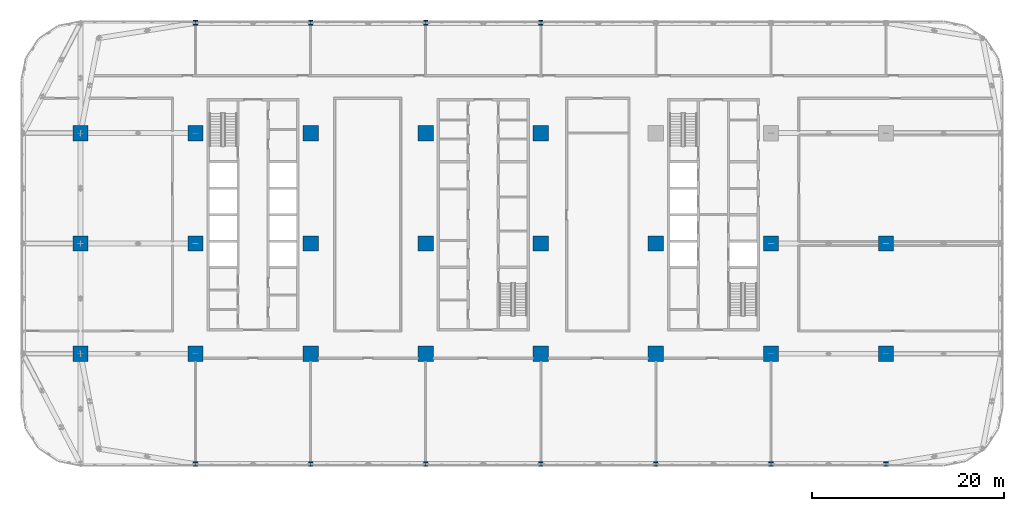
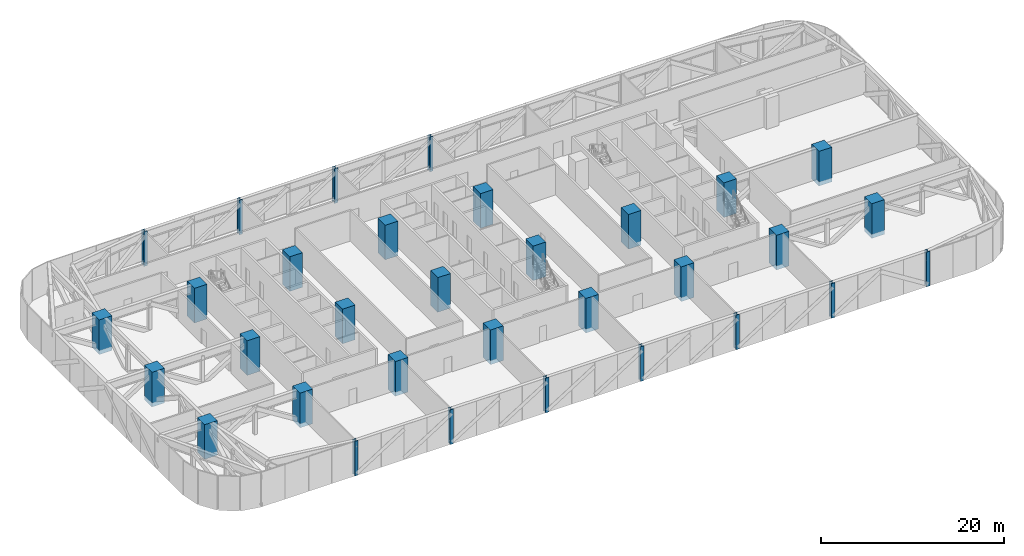
# One storey, part 1 of 25: 32 columns.
"""IFC4 building model written with IfcOpenShell, lengths in metres."""

import ifcopenshell
import ifcopenshell.guid

model = None  # the IFC model being written
_history = None  # IfcOwnerHistory: only IFC2X3 demands one
_inside = {}  # id of a spatial element -> (the spatial element, [elements in it])
_under = {}  # id of a project, library or spatial element -> (it, [spatial elements below it])
_declared = {}  # id of a project -> (the project, [libraries it declares])
_typed = {}  # id of a type object -> (the type object, [elements of that type])
_made_of = {}  # id of a material, layer set ... -> (it, [elements and type objects made of it])


def new_model(schema):
    """Start an empty IFC model of exactly this schema.

    Asked for "IFC4X3", IfcOpenShell would pick the latest addendum, in which some entities
    have other attributes; the version numbers below select the first issue.
    IFC2X3 requires an IfcOwnerHistory on every rooted entity: one is made here for all.
    """
    global model, _history
    if schema == "IFC4X3":
        model = ifcopenshell.file(schema_version=(4, 3, 0, 0))
    else:
        model = ifcopenshell.file(schema=schema)
    _inside.clear()
    _under.clear()
    _declared.clear()
    _typed.clear()
    _made_of.clear()
    _history = None
    if model.schema == "IFC2X3":
        org = make("IfcOrganization", Name="unknown")
        user = make(
            "IfcPersonAndOrganization",
            ThePerson=make("IfcPerson", FamilyName="unknown"),
            TheOrganization=org,
        )
        app = make(
            "IfcApplication",
            ApplicationDeveloper=org,
            Version="unknown",
            ApplicationFullName="unknown",
            ApplicationIdentifier="unknown",
        )
        _history = make(
            "IfcOwnerHistory",
            OwningUser=user,
            OwningApplication=app,
            ChangeAction="ADDED",
            CreationDate=0,
        )
    return model


def make(cls, **values):
    """One entity of the class cls with the attributes given. An attribute that is None is left unset."""
    return model.create_entity(
        cls, **{name: value for name, value in values.items() if value is not None}
    )


def rooted(cls, **values):
    """An entity with a GlobalId (a new one), such as an element, a storey or a relation."""
    return make(cls, GlobalId=ifcopenshell.guid.new(), OwnerHistory=_history, **values)


def si_unit(unit_type, name, prefix=None):
    """IfcSIUnit, for example si_unit("LENGTHUNIT", "METRE", prefix="MILLI")."""
    return make("IfcSIUnit", UnitType=unit_type, Prefix=prefix, Name=name)


def assignment(units):
    """IfcUnitAssignment: the units of a project."""
    return None if units is None else make("IfcUnitAssignment", Units=units)


def point(xyz):
    """IfcCartesianPoint."""
    return None if xyz is None else make("IfcCartesianPoint", Coordinates=xyz)


def direction(xyz):
    """IfcDirection."""
    return None if xyz is None else make("IfcDirection", DirectionRatios=xyz)


def frame(location, z_axis=None, x_axis=None):
    """IfcAxis2Placement3D, a coordinate frame: its origin and axes. An axis left out is left unset."""
    return make(
        "IfcAxis2Placement3D",
        Location=point(location),
        Axis=direction(z_axis),
        RefDirection=direction(x_axis),
    )


def frame_2d(location, x_axis=None):
    """IfcAxis2Placement2D, a coordinate frame in the plane: its origin and x axis."""
    return make(
        "IfcAxis2Placement2D", Location=point(location), RefDirection=direction(x_axis)
    )


def origin():
    """The frame at (0, 0, 0) with its axes left unset."""
    return frame((0.0, 0.0, 0.0))


def origin_2d():
    """The frame at (0, 0) in the plane with its x axis left unset."""
    return frame_2d((0.0, 0.0))


def place(relative_to, where):
    """IfcLocalPlacement: puts the frame where relative to a parent placement (None: the world)."""
    return make(
        "IfcLocalPlacement", PlacementRelTo=relative_to, RelativePlacement=where
    )


def context(
    kind, dimensions, precision=None, world=None, true_north=None, identifier=None
):
    """IfcGeometricRepresentationContext, for example the 3D "Model" context."""
    return make(
        "IfcGeometricRepresentationContext",
        ContextIdentifier=identifier,
        ContextType=kind,
        CoordinateSpaceDimension=dimensions,
        Precision=precision,
        WorldCoordinateSystem=world,
        TrueNorth=true_north,
    )


def subcontext(parent, identifier, kind, view, scale=None):
    """IfcGeometricRepresentationSubContext, for example "Body" below "Model"."""
    return make(
        "IfcGeometricRepresentationSubContext",
        ContextIdentifier=identifier,
        ContextType=kind,
        ParentContext=parent,
        TargetScale=scale,
        TargetView=view,
    )


def project(units=None, contexts=None):
    """IfcProject with its units and contexts."""
    return rooted(
        "IfcProject",
        Name="project",
        RepresentationContexts=contexts,
        UnitsInContext=assignment(units),
    )


def spatial(cls, under=None, at=None, **own):
    """A site, building, storey or space (cls), placed at a placement, below another one or the project."""
    s = rooted(cls, ObjectPlacement=at, **own)
    if under is not None:
        _under.setdefault(under.id(), (under, []))[1].append(s)
    return s


def profile(cls, at=None, kind="AREA", **sizes):
    """A parametric profile (cls). Its sizes go by their IFC names, for example OverallWidth=200.0."""
    return make(cls, ProfileType=kind, Position=at, **sizes)


def rectangle(**sizes):
    """IfcRectangleProfileDef."""
    return profile("IfcRectangleProfileDef", **sizes)


def i_section(**sizes):
    """IfcIShapeProfileDef."""
    return profile("IfcIShapeProfileDef", **sizes)


def extrude(swept, where, along, depth):
    """IfcExtrudedAreaSolid: the profile swept, set in the frame where, extruded along a direction by depth."""
    return make(
        "IfcExtrudedAreaSolid",
        SweptArea=swept,
        Position=where,
        ExtrudedDirection=direction(along),
        Depth=depth,
    )


def shape(context_of_items, identifier, shape_type, items):
    """IfcShapeRepresentation: the items that make up one representation, for example the "Body"."""
    return make(
        "IfcShapeRepresentation",
        ContextOfItems=context_of_items,
        RepresentationIdentifier=identifier,
        RepresentationType=shape_type,
        Items=items,
    )


def material(Name=None, Category=None):
    """IfcMaterial."""
    return make("IfcMaterial", Name=Name, Category=Category)


def material_profile(
    of_material, cross_section, Name=None, Category=None, Priority=None
):
    """IfcMaterialProfile: a cross section and its material."""
    return make(
        "IfcMaterialProfile",
        Name=Name,
        Material=of_material,
        Profile=cross_section,
        Priority=Priority,
        Category=Category,
    )


def profile_set(profiles, Name=None, composite=None):
    """IfcMaterialProfileSet."""
    return make(
        "IfcMaterialProfileSet",
        Name=Name,
        MaterialProfiles=profiles,
        CompositeProfile=composite,
    )


def made_of(thing, what):
    """Note that an element or type object is made of a material, layer set ...; save() writes the relation."""
    if what is not None:
        _made_of.setdefault(what.id(), (what, []))[1].append(thing)
    return thing


def type_object(cls, material=None, **own):
    """A type object (cls), such as IfcWallType, which elements share."""
    return made_of(rooted(cls, **own), material)


def element(
    cls,
    number,
    at=None,
    inside=None,
    cuts=None,
    type_object=None,
    material=None,
    context=None,
    identifier="Body",
    shape_type=None,
    held_by="IfcProductDefinitionShape",
    body=None,
    shapes=None,
    **own,
):
    """One element of the class cls, such as IfcWall. Its Tag is "e" and its number.

    at: its placement. inside: the storey or other place that contains it. cuts: it is an
    opening in that element (IfcRelVoidsElement). A single representation is given by context,
    identifier, shape_type and body (its items); several are given by shapes. held_by: the class
    of the entity that holds the representations. save() writes the other relations.
    """
    e = rooted(cls, Tag="e%d" % number, ObjectPlacement=at, **own)
    if body is not None:
        shapes = [shape(context, identifier, shape_type, body)]
    if shapes is not None:
        e.Representation = make(held_by, Representations=shapes)
    if inside is not None:
        _inside.setdefault(inside.id(), (inside, []))[1].append(e)
    if cuts is not None:
        rooted(
            "IfcRelVoidsElement", RelatingBuildingElement=cuts, RelatedOpeningElement=e
        )
    if type_object is not None:
        _typed.setdefault(type_object.id(), (type_object, []))[1].append(e)
    return made_of(e, material)


def aggregate(whole, parts):
    """IfcRelAggregates: a whole, such as a stair, and the parts it consists of."""
    return rooted("IfcRelAggregates", RelatingObject=whole, RelatedObjects=parts)


def save(model, path):
    """Write the relations noted so far, then the file.

    IfcRelAggregates (storeys below a building ...), IfcRelContainedInSpatialStructure (elements
    in a storey), IfcRelDefinesByType, IfcRelAssociatesMaterial and IfcRelDeclares: one each for
    every whole, place, type object, material and project.
    """
    for whole, parts in _under.values():
        aggregate(whole, parts)
    for where, things in _inside.values():
        rooted(
            "IfcRelContainedInSpatialStructure",
            RelatedElements=things,
            RelatingStructure=where,
        )
    for kind, things in _typed.values():
        rooted("IfcRelDefinesByType", RelatedObjects=things, RelatingType=kind)
    for what, things in _made_of.values():
        rooted("IfcRelAssociatesMaterial", RelatedObjects=things, RelatingMaterial=what)
    for by, libraries in _declared.values():
        rooted("IfcRelDeclares", RelatingContext=by, RelatedDefinitions=libraries)
    model.write(path)


model = new_model("IFC4")

# Units and contexts
model_context = context("Model", 3, precision=1e-05, world=origin(), true_north=direction((0.0, 1.0)))
body_context = subcontext(model_context, "Body", "Model", "MODEL_VIEW")
ifc_project = project(units=[si_unit("LENGTHUNIT", "METRE"), si_unit("AREAUNIT", "SQUARE_METRE"), si_unit("VOLUMEUNIT", "CUBIC_METRE"), si_unit("PLANEANGLEUNIT", "RADIAN"), si_unit("MASSUNIT", "GRAM", prefix="KILO")], contexts=[model_context])

# Site, building, storey
site_placement = place(None, origin())
site = spatial("IfcSite", under=ifc_project, at=site_placement, CompositionType="ELEMENT")
building_placement = place(site_placement, origin())
building = spatial("IfcBuilding", under=site, at=building_placement, Name="Mahtab Terrace Research Tower", CompositionType="ELEMENT")
storey_placement = place(building_placement, frame((0.0, 0.0, 41.60009765625)))
storey = spatial("IfcBuildingStorey", under=building, at=storey_placement, Name="L09", CompositionType="ELEMENT", Elevation=41.60009765625)

# Columns
ifc_material_1 = material(Name="Concrete C70/85", Category="concrete")
ifc_material_profile_1 = material_profile(ifc_material_1, rectangle(XDim=1.60009765625, YDim=1.60009765625, at=origin_2d()), Name="RC column 1600x1600")
ifc_profile_set_1 = profile_set([ifc_material_profile_1], Name="Concrete C70/85")
column_type_1 = type_object("IfcColumnType", Name="RC column 1600x1600", PredefinedType="COLUMN", material=ifc_profile_set_1)
for number, where, z_axis, x_axis, name in (
    (1, (-42.0, -11.5, -0.550048828125), (0.0, 0.0, 1.0), (1.0, 0.0, 0.0), "Column RC-1A L09"),
    (2, (-42.0, 0.0, -0.550048828125), (0.0, 0.0, 1.0), (1.0, 0.0, 0.0), "Column RC-1B L09"),
    (3, (-42.0, 11.5, -0.550048828125), (0.0, 0.0, 1.0), (1.0, 0.0, 0.0), "Column RC-1C L09"),
    (4, (-30.0, -11.5, -0.550048828125), (0.0, 0.0, 1.0), (1.0, 0.0, 0.0), "Column RC-2A L09"),
    (5, (-30.0, 0.0, -0.550048828125), (0.0, 0.0, 1.0), (1.0, 0.0, 0.0), "Column RC-2B L09"),
    (6, (-30.0, 11.5, -0.550048828125), (0.0, 0.0, 1.0), (1.0, 0.0, 0.0), "Column RC-2C L09"),
    (7, (-18.0, -11.5, -0.550048828125), (0.0, 0.0, 1.0), (1.0, 0.0, 0.0), "Column RC-3A L09"),
    (8, (-18.0, 0.0, -0.550048828125), (0.0, 0.0, 1.0), (1.0, 0.0, 0.0), "Column RC-3B L09"),
    (9, (-18.0, 11.5, -0.550048828125), (0.0, 0.0, 1.0), (1.0, 0.0, 0.0), "Column RC-3C L09"),
    (10, (-6.0, -11.5, -0.550048828125), (0.0, 0.0, 1.0), (1.0, 0.0, 0.0), "Column RC-4A L09"),
    (11, (-6.0, 0.0, -0.550048828125), (0.0, 0.0, 1.0), (1.0, 0.0, 0.0), "Column RC-4B L09"),
    (12, (-6.0, 11.5, -0.550048828125), (0.0, 0.0, 1.0), (1.0, 0.0, 0.0), "Column RC-4C L09"),
    (13, (6.0, -11.5, -0.550048828125), (0.0, 0.0, 1.0), (1.0, 0.0, 0.0), "Column RC-5A L09"),
    (14, (6.0, 0.0, -0.550048828125), (0.0, 0.0, 1.0), (1.0, 0.0, 0.0), "Column RC-5B L09"),
    (15, (6.0, 11.5, -0.550048828125), (0.0, 0.0, 1.0), (1.0, 0.0, 0.0), "Column RC-5C L09"),
    (16, (18.0, -11.5, -0.550048828125), (0.0, 0.0, 1.0), (1.0, 0.0, 0.0), "Column RC-6A L09"),
    (17, (18.0, 0.0, -0.550048828125), (0.0, 0.0, 1.0), (1.0, 0.0, 0.0), "Column RC-6B L09"),
    (18, (30.0, -11.5, -0.550048828125), (0.0, 0.0, 1.0), (1.0, 0.0, 0.0), "Column RC-7A L09"),
    (19, (30.0, 0.0, -0.550048828125), (0.0, 0.0, 1.0), (1.0, 0.0, 0.0), "Column RC-7B L09"),
    (20, (42.0, -11.5, -0.550048828125), (0.0, 0.0, 1.0), (1.0, 0.0, 0.0), "Column RC-8A L09"),
    (21, (42.0, 0.0, -0.550048828125), (0.0, 0.0, 1.0), (1.0, 0.0, 0.0), "Column RC-8B L09"),
):
    element("IfcColumn", number, at=place(storey_placement, frame(where, z_axis=z_axis, x_axis=x_axis)), inside=storey, type_object=column_type_1, Name=name, PredefinedType="COLUMN", context=body_context, shape_type="SweptSolid", body=[
        extrude(rectangle(XDim=1.60009765625, YDim=1.60009765625, at=origin_2d()), origin(), (0.0, 0.0, 1.0), 4.60986328125),
    ])
ifc_material_2 = material(Name="Steel ASTM A992 Gr 50", Category="steel")
ifc_material_profile_2 = material_profile(ifc_material_2, i_section(OverallWidth=0.431884765625, OverallDepth=0.497802734375, WebThickness=0.0556640625, FlangeThickness=0.0888671875, at=origin_2d()), Name="W14X500")
ifc_profile_set_2 = profile_set([ifc_material_profile_2], Name="Steel ASTM A992 Gr 50")
column_type_2 = type_object("IfcColumnType", Name="W14x500 column CS14500", PredefinedType="COLUMN", material=ifc_profile_set_2)
for number, where, z_axis, x_axis, name in (
    (22, (6.0, 23.0, -0.550048828125), (0.0, 0.0, 1.0), (1.0, 0.0, 0.0), "Column SC-004 L09"),
    (23, (-6.0, 23.0, -0.550048828125), (0.0, 0.0, 1.0), (1.0, 0.0, 0.0), "Column SC-005 L09"),
    (24, (-18.0, 23.0, -0.550048828125), (0.0, 0.0, 1.0), (1.0, 0.0, 0.0), "Column SC-006 L09"),
    (25, (-30.0, 23.0, -0.550048828125), (0.0, 0.0, 1.0), (1.0, 0.0, 0.0), "Column SC-007 L09"),
    (26, (-30.0, -23.0, -0.550048828125), (0.0, 0.0, 1.0), (1.0, 0.0, 0.0), "Column SC-013 L09"),
    (27, (-18.0, -23.0, -0.550048828125), (0.0, 0.0, 1.0), (1.0, 0.0, 0.0), "Column SC-014 L09"),
    (28, (-6.0, -23.0, -0.550048828125), (0.0, 0.0, 1.0), (1.0, 0.0, 0.0), "Column SC-015 L09"),
    (29, (6.0, -23.0, -0.550048828125), (0.0, 0.0, 1.0), (1.0, 0.0, 0.0), "Column SC-016 L09"),
    (30, (18.0, -23.0, -0.550048828125), (0.0, 0.0, 1.0), (1.0, 0.0, 0.0), "Column SC-017 L09"),
    (31, (30.0, -23.0, -0.550048828125), (0.0, 0.0, 1.0), (1.0, 0.0, 0.0), "Column SC-018 L09"),
    (32, (42.0, -23.0, -0.550048828125), (0.0, 0.0, 1.0), (1.0, 0.0, 0.0), "Column SC-019 L09"),
):
    element("IfcColumn", number, at=place(storey_placement, frame(where, z_axis=z_axis, x_axis=x_axis)), inside=storey, type_object=column_type_2, Name=name, PredefinedType="COLUMN", context=body_context, shape_type="SweptSolid", body=[
        extrude(i_section(OverallWidth=0.431884765625, OverallDepth=0.497802734375, WebThickness=0.0556640625, FlangeThickness=0.0888671875, at=origin_2d()), origin(), (0.0, 0.0, 1.0), 4.60986328125),
    ])

save(model, "model.ifc")
